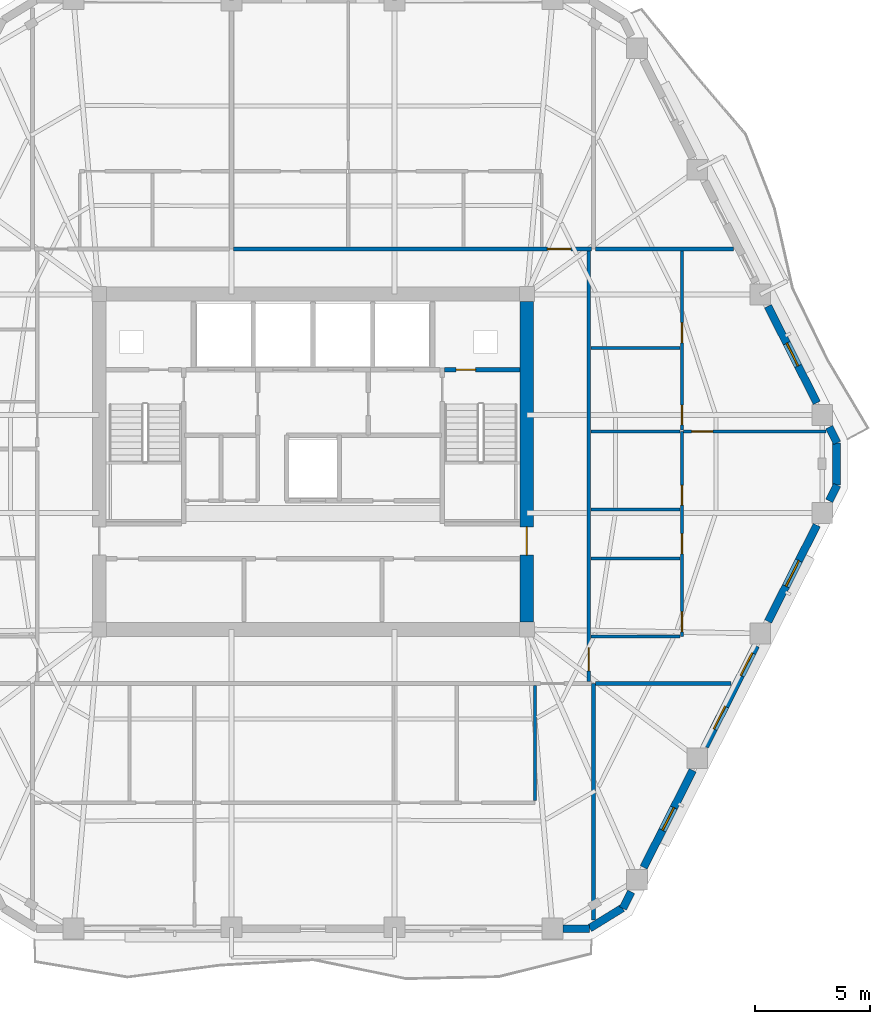
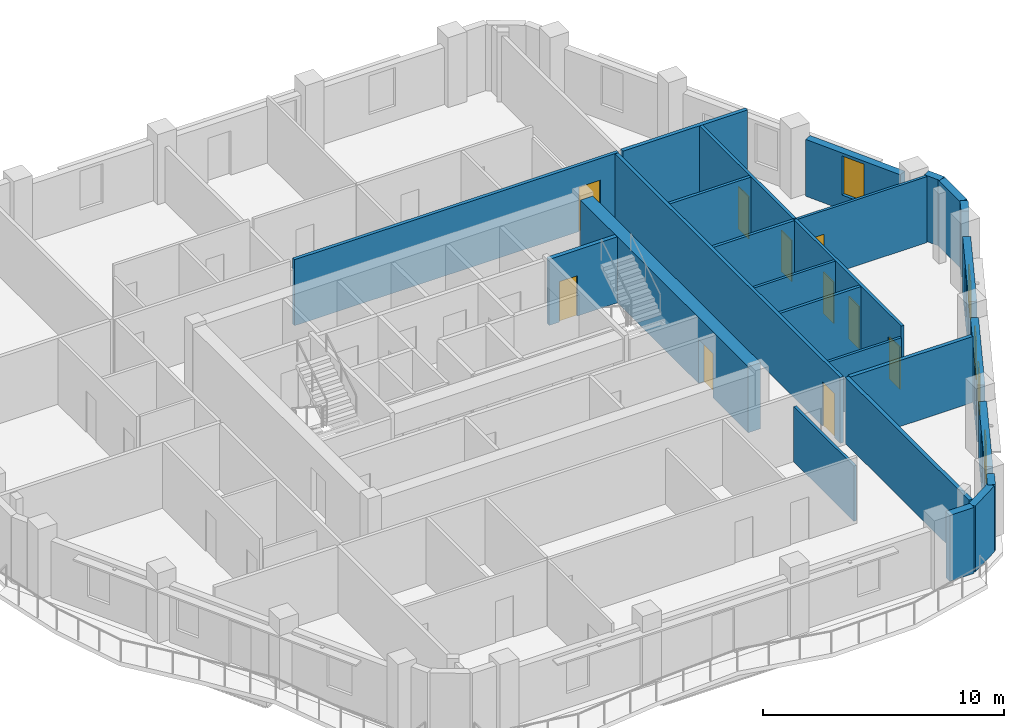
# One storey, part 6 of 11: 26 walls, 10 doors, 5 windows, 15 openings.
"""IFC4 building model written with IfcOpenShell, lengths in metres."""

from ifc_helpers import new_model, si_unit, direction, frame, frame_2d, origin, place, context, subcontext, project, spatial, rectangle, extrude, material, layer, layer_set, type_object, element, fill, save


model = new_model("IFC4")

# Units and contexts
model_context = context("Model", 3, precision=1e-05, world=origin(), true_north=direction((0.0, 1.0)))
body_context = subcontext(model_context, "Body", "Model", "MODEL_VIEW")
ifc_project = project(units=[si_unit("LENGTHUNIT", "METRE"), si_unit("AREAUNIT", "SQUARE_METRE"), si_unit("VOLUMEUNIT", "CUBIC_METRE"), si_unit("PLANEANGLEUNIT", "RADIAN"), si_unit("MASSUNIT", "GRAM", prefix="KILO")], contexts=[model_context])

# Site, building, storey
site_placement = place(None, origin())
site = spatial("IfcSite", under=ifc_project, at=site_placement, CompositionType="ELEMENT")
building_placement = place(site_placement, origin())
building = spatial("IfcBuilding", under=site, at=building_placement, Name="Cinnabar Lancet Tower", CompositionType="ELEMENT")
storey_placement = place(building_placement, frame((0.0, 0.0, 196.75)))
storey = spatial("IfcBuildingStorey", under=building, at=storey_placement, Name="L52", CompositionType="ELEMENT", Elevation=196.75)

# Wall, opening, door
ifc_material_1 = material(Name="Acoustic twin-stud gypsum partition", Category="gypsum")
ifc_layer_1 = layer(ifc_material_1, 0.159912109375)
ifc_layer_set_1 = layer_set([ifc_layer_1], Name="Acoustic twin-stud gypsum partition")
wall_type_1 = type_object("IfcWallType", Name="ARC-WL-CORR-160", PredefinedType="PARTITIONING", material=ifc_layer_set_1)
wall_1_placement = place(storey_placement, frame((28.951904296875, 35.14990234375, 0.0), z_axis=(0.0, 0.0, 1.0), x_axis=(1.0, 0.0, 0.0)))
wall_1 = element("IfcWall", 1, at=wall_1_placement, inside=storey, type_object=wall_type_1, Name="L52 Unit N02 Corridor Wall", PredefinedType="PARTITIONING", context=body_context, shape_type="SweptSolid", body=[
    extrude(rectangle(XDim=15.552978515625, YDim=0.159912109375, at=frame_2d((7.7763671875, 0.0))), origin(), (0.0, 0.0, 1.0), 3.35009765625),
])
opening_1_placement = place(wall_1_placement, frame((13.64794921875, 0.0, 0.0)))
opening_1 = element("IfcOpeningElement", 2, at=opening_1_placement, cuts=wall_1, Name="Opening UD-01", PredefinedType="OPENING", context=body_context, shape_type="SweptSolid", body=[
    extrude(rectangle(XDim=1.02001953125, YDim=2.25, at=frame_2d((0.510009765625, 1.125))), frame((0.0, 0.08984375, 0.0), z_axis=(0.0, -1.0, 0.0), x_axis=(1.0, 0.0, 0.0)), (0.0, 0.0, 1.0), 0.179931640625),
])
ifc_material_2 = material(Name="Solid timber fire-rated apartment entrance door", Category="wood")
door_type_1 = type_object("IfcDoorType", Name="ARC-DR-UNIT", OperationType="NOTDEFINED", PredefinedType="DOOR", material=ifc_material_2)
door_1_placement = place(opening_1_placement, origin())
door_1 = element("IfcDoor", 3, at=door_1_placement, inside=storey, type_object=door_type_1, Name="DR-L52-N02-ENT", OperationType="SINGLE_SWING_RIGHT", OverallHeight=2.25, OverallWidth=1.02001953125, PredefinedType="DOOR", context=body_context, shape_type="SweptSolid", body=[
    extrude(rectangle(XDim=1.02001953125, YDim=2.25, at=frame_2d((0.510009765625, 1.125))), frame((0.0, 0.02490234375, 0.0), z_axis=(0.0, -1.0, 0.0), x_axis=(1.0, 0.0, 0.0)), (0.0, 0.0, 1.0), 0.050048828125),
])
fill(opening_1, door_1)

wall_2_placement = place(storey_placement, frame((44.39990234375, 16.344970703125, 0.0), z_axis=(0.0, 0.0, 1.0), x_axis=(0.0, 1.0, 0.0)))
wall_2 = element("IfcWall", 4, at=wall_2_placement, inside=storey, type_object=wall_type_1, Name="UW-L52-E01-COR", PredefinedType="PARTITIONING", context=body_context, shape_type="SweptSolid", body=[
    extrude(rectangle(XDim=18.7099609375, YDim=0.159912109375, at=frame_2d((9.35498046875, 0.0))), origin(), (0.0, 0.0, 1.0), 3.35009765625),
])
opening_2_placement = place(wall_2_placement, frame((0.449951171875, 0.0, 0.0)))
opening_2 = element("IfcOpeningElement", 5, at=opening_2_placement, cuts=wall_2, Name="Opening UD-01", PredefinedType="OPENING", context=body_context, shape_type="SweptSolid", body=[
    extrude(rectangle(XDim=1.02001953125, YDim=2.25, at=frame_2d((0.510009765625, 1.125))), frame((0.0, 0.08984375, 0.0), z_axis=(0.0, -1.0, 0.0), x_axis=(1.0, 0.0, 0.0)), (0.0, 0.0, 1.0), 0.179931640625),
])
door_2_placement = place(opening_2_placement, origin())
door_2 = element("IfcDoor", 6, at=door_2_placement, inside=storey, type_object=door_type_1, Name="DR-L52-E01-ENT", OperationType="SINGLE_SWING_LEFT", OverallHeight=2.25, OverallWidth=1.02001953125, PredefinedType="DOOR", context=body_context, shape_type="SweptSolid", body=[
    extrude(rectangle(XDim=1.02001953125, YDim=2.25, at=frame_2d((0.510009765625, 1.125))), frame((0.0, 0.02490234375, 0.0), z_axis=(0.0, -1.0, 0.0), x_axis=(1.0, 0.0, 0.0)), (0.0, 0.0, 1.0), 0.050048828125),
])
fill(opening_2, door_2)

# Walls
ifc_material_3 = material(Name="Fire-rated twin-frame acoustic drywall", Category="gypsum")
ifc_layer_2 = layer(ifc_material_3, 0.179931640625)
ifc_layer_set_2 = layer_set([ifc_layer_2], Name="Fire-rated twin-frame acoustic drywall")
wall_type_2 = type_object("IfcWallType", Name="ARC-WL-PARTY-180", PredefinedType="PARTITIONING", material=ifc_layer_set_2)
wall_3_placement = place(storey_placement, frame((44.60009765625, 5.968017578125, 0.0), z_axis=(0.0, 0.0, 1.0), x_axis=(0.0, 1.0, 0.0)))
element("IfcWall", 7, at=wall_3_placement, inside=storey, type_object=wall_type_2, Name="PW-L52-SPTY-446", PredefinedType="PARTITIONING", context=body_context, shape_type="SweptSolid", body=[
    extrude(rectangle(XDim=10.281982421875, YDim=0.179931640625, at=frame_2d((5.14111328125, 0.0))), origin(), (0.0, 0.0, 1.0), 3.35009765625),
])
wall_4_placement = place(storey_placement, frame((44.695068359375, 16.25, 0.0), z_axis=(0.0, 0.0, 1.0), x_axis=(1.0, 0.0, 0.0)))
element("IfcWall", 8, at=wall_4_placement, inside=storey, type_object=wall_type_2, Name="PW-L52-ESB", PredefinedType="PARTITIONING", context=body_context, shape_type="SweptSolid", body=[
    extrude(rectangle(XDim=5.89404296875, YDim=0.179931640625, at=frame_2d((2.947021484375, 0.0))), origin(), (0.0, 0.0, 1.0), 3.35009765625),
])
wall_5_placement = place(storey_placement, frame((44.695068359375, 35.14990234375, 0.0), z_axis=(0.0, 0.0, 1.0), x_axis=(1.0, 0.0, 0.0)))
element("IfcWall", 9, at=wall_5_placement, inside=storey, type_object=wall_type_2, Name="PW-L52-ENB", PredefinedType="PARTITIONING", context=body_context, shape_type="SweptSolid", body=[
    extrude(rectangle(XDim=5.994873046875, YDim=0.179931640625, at=frame_2d((2.99755859375, 0.0))), origin(), (0.0, 0.0, 1.0), 3.35009765625),
])

# Wall, opening, door
ifc_material_4 = material(Name="Autoclaved aerated concrete blockwork", Category="masonry")
ifc_layer_3 = layer(ifc_material_4, 0.199951171875)
ifc_layer_set_3 = layer_set([ifc_layer_3], Name="Autoclaved aerated concrete blockwork")
wall_type_3 = type_object("IfcWallType", Name="ARC-WL-SHAFT-200", PredefinedType="PLUMBINGWALL", material=ifc_layer_set_3)
wall_6_placement = place(storey_placement, frame((38.125, 29.89990234375, 0.0), z_axis=(0.0, 0.0, 1.0), x_axis=(1.0, 0.0, 0.0)))
wall_6 = element("IfcWall", 10, at=wall_6_placement, inside=storey, type_object=wall_type_3, Name="CW-NSH-E-L52", PredefinedType="PLUMBINGWALL", context=body_context, shape_type="SweptSolid", body=[
    extrude(rectangle(XDim=3.27001953125, YDim=0.199951171875, at=frame_2d((1.635009765625, 0.0))), origin(), (0.0, 0.0, 1.0), 3.35009765625),
])
opening_3_placement = place(wall_6_placement, frame((0.5, 0.0, 0.0)))
opening_3 = element("IfcOpeningElement", 11, at=opening_3_placement, cuts=wall_6, Name="Opening PD-02", PredefinedType="OPENING", context=body_context, shape_type="SweptSolid", body=[
    extrude(rectangle(XDim=0.85009765625, YDim=2.050048828125, at=frame_2d((0.425048828125, 1.02490234375))), frame((0.0, 0.10986328125, 0.0), z_axis=(0.0, -1.0, 0.0), x_axis=(1.0, 0.0, 0.0)), (0.0, 0.0, 1.0), 0.219970703125),
])
ifc_material_5 = material(Name="Fire-rated steel riser access door", Category="steel")
door_type_2 = type_object("IfcDoorType", Name="ARC-DR-RISER", OperationType="NOTDEFINED", PredefinedType="DOOR", material=ifc_material_5)
door_3_placement = place(opening_3_placement, origin())
door_3 = element("IfcDoor", 12, at=door_3_placement, inside=storey, type_object=door_type_2, Name="L52 East Riser Access Door", OperationType="SINGLE_SWING_RIGHT", OverallHeight=2.050048828125, OverallWidth=0.85009765625, PredefinedType="DOOR", context=body_context, shape_type="SweptSolid", body=[
    extrude(rectangle(XDim=0.85009765625, YDim=2.050048828125, at=frame_2d((0.425048828125, 1.02490234375))), frame((0.0, 0.02490234375, 0.0), z_axis=(0.0, -1.0, 0.0), x_axis=(1.0, 0.0, 0.0)), (0.0, 0.0, 1.0), 0.050048828125),
])
fill(opening_3, door_3)

# Walls
ifc_material_6 = material(Name="Gypsum plasterboard stud partition", Category="gypsum")
ifc_layer_4 = layer(ifc_material_6, 0.125)
ifc_layer_set_4 = layer_set([ifc_layer_4], Name="Gypsum plasterboard stud partition")
wall_type_4 = type_object("IfcWallType", Name="ARC-WL-UNIT-125", PredefinedType="PARTITIONING", material=ifc_layer_set_4)
wall_7_placement = place(storey_placement, frame((42.050048828125, 11.16796875, 0.0), z_axis=(0.0, 0.0, 1.0), x_axis=(0.0, 1.0, 0.0)))
element("IfcWall", 13, at=wall_7_placement, inside=storey, type_object=wall_type_4, Name="UW-L52-S01-FOYW", PredefinedType="PARTITIONING", context=body_context, shape_type="SweptSolid", body=[
    extrude(rectangle(XDim=4.9970703125, YDim=0.125, at=frame_2d((2.49853515625, 0.0))), origin(), (0.0, 0.0, 1.0), 2.806884765625),
])
wall_8_placement = place(storey_placement, frame((44.485107421875, 18.300048828125, 0.0), z_axis=(0.0, 0.0, 1.0), x_axis=(1.0, 0.0, 0.0)))
element("IfcWall", 14, at=wall_8_placement, inside=storey, type_object=wall_type_4, Name="UW-L52-E01-FOYN", PredefinedType="PARTITIONING", context=body_context, shape_type="SweptSolid", body=[
    extrude(rectangle(XDim=3.8798828125, YDim=0.125, at=frame_2d((1.93994140625, 0.0))), origin(), (0.0, 0.0, 1.0), 2.806884765625),
])

# Wall, opening, door
wall_9_placement = place(storey_placement, frame((48.52490234375, 27.2119140625, 0.0), z_axis=(0.0, 0.0, 1.0), x_axis=(1.0, 0.0, 0.0)))
wall_9 = element("IfcWall", 15, at=wall_9_placement, inside=storey, type_object=wall_type_4, Name="UW-L52-E01-MBN", PredefinedType="PARTITIONING", context=body_context, shape_type="SweptSolid", body=[
    extrude(rectangle(XDim=6.196044921875, YDim=0.125, at=frame_2d((3.09814453125, 0.0))), origin(), (0.0, 0.0, 1.0), 3.35009765625),
])
opening_4_placement = place(wall_9_placement, frame((0.35009765625, 0.0, 0.0)))
opening_4 = element("IfcOpeningElement", 16, at=opening_4_placement, cuts=wall_9, Name="Opening RD-01", PredefinedType="OPENING", context=body_context, shape_type="SweptSolid", body=[
    extrude(rectangle(XDim=0.919921875, YDim=2.14990234375, at=frame_2d((0.4599609375, 1.074951171875))), frame((0.0, 0.072509765625, 0.0), z_axis=(0.0, -1.0, 0.0), x_axis=(1.0, 0.0, 0.0)), (0.0, 0.0, 1.0), 0.14501953125),
])
ifc_material_7 = material(Name="Engineered timber bedroom door", Category="wood")
door_type_3 = type_object("IfcDoorType", Name="ARC-DR-ROOM", OperationType="NOTDEFINED", PredefinedType="DOOR", material=ifc_material_7)
door_4_placement = place(opening_4_placement, origin())
door_4 = element("IfcDoor", 17, at=door_4_placement, inside=storey, type_object=door_type_3, Name="DR-L52-E01-MBD", OperationType="SINGLE_SWING_LEFT", OverallHeight=2.14990234375, OverallWidth=0.919921875, PredefinedType="DOOR", context=body_context, shape_type="SweptSolid", body=[
    extrude(rectangle(XDim=0.919921875, YDim=2.14990234375, at=frame_2d((0.4599609375, 1.074951171875))), frame((0.0, 0.02490234375, 0.0), z_axis=(0.0, -1.0, 0.0), x_axis=(1.0, 0.0, 0.0)), (0.0, 0.0, 1.0), 0.050048828125),
])
fill(opening_4, door_4)

# Wall
wall_10_placement = place(storey_placement, frame((44.485107421875, 23.81201171875, 0.0), z_axis=(0.0, 0.0, 1.0), x_axis=(1.0, 0.0, 0.0)))
element("IfcWall", 18, at=wall_10_placement, inside=storey, type_object=wall_type_4, Name="UW-L52-E01-UDV", PredefinedType="PARTITIONING", context=body_context, shape_type="SweptSolid", body=[
    extrude(rectangle(XDim=3.8798828125, YDim=0.125, at=frame_2d((1.93994140625, 0.0))), origin(), (0.0, 0.0, 1.0), 3.35009765625),
])

# Wall, openings, doors
ifc_material_8 = material(Name="Moisture-resistant cement-board plumbing wall", Category="masonry")
ifc_layer_5 = layer(ifc_material_8, 0.139892578125)
ifc_layer_set_5 = layer_set([ifc_layer_5], Name="Moisture-resistant cement-board plumbing wall")
wall_type_5 = type_object("IfcWallType", Name="ARC-WL-WET-140", PredefinedType="PLUMBINGWALL", material=ifc_layer_set_5)
wall_11_placement = place(storey_placement, frame((48.449951171875, 18.300048828125, 0.0), z_axis=(0.0, 0.0, 1.0), x_axis=(0.0, 1.0, 0.0)))
wall_11 = element("IfcWall", 19, at=wall_11_placement, inside=storey, type_object=wall_type_5, Name="UW-L52-E01-SPL", PredefinedType="PLUMBINGWALL", context=body_context, shape_type="SweptSolid", body=[
    extrude(rectangle(XDim=8.911865234375, YDim=0.139892578125, at=frame_2d((4.4560546875, 0.0))), origin(), (0.0, 0.0, 1.0), 3.35009765625),
])
opening_5_placement = place(wall_11_placement, frame((0.199951171875, 0.0, 0.0)))
opening_5 = element("IfcOpeningElement", 20, at=opening_5_placement, cuts=wall_11, Name="Opening RD-02", PredefinedType="OPENING", context=body_context, shape_type="SweptSolid", body=[
    extrude(rectangle(XDim=0.8798828125, YDim=2.14990234375, at=frame_2d((0.43994140625, 1.074951171875))), frame((0.0, 0.079833984375, 0.0), z_axis=(0.0, -1.0, 0.0), x_axis=(1.0, 0.0, 0.0)), (0.0, 0.0, 1.0), 0.159912109375),
])
opening_6_placement = place(wall_11_placement, frame((3.5869140625, 0.0, 0.0)))
opening_6 = element("IfcOpeningElement", 21, at=opening_6_placement, cuts=wall_11, Name="Opening RD-02", PredefinedType="OPENING", context=body_context, shape_type="SweptSolid", body=[
    extrude(rectangle(XDim=0.8798828125, YDim=2.14990234375, at=frame_2d((0.43994140625, 1.074951171875))), frame((0.0, 0.079833984375, 0.0), z_axis=(0.0, -1.0, 0.0), x_axis=(1.0, 0.0, 0.0)), (0.0, 0.0, 1.0), 0.159912109375),
])
opening_7_placement = place(wall_11_placement, frame((5.7119140625, 0.0, 0.0)))
opening_7 = element("IfcOpeningElement", 22, at=opening_7_placement, cuts=wall_11, Name="Opening BD-01", PredefinedType="OPENING", context=body_context, shape_type="SweptSolid", body=[
    extrude(rectangle(XDim=0.860107421875, YDim=2.10009765625, at=frame_2d((0.43017578125, 1.050048828125))), frame((0.0, 0.079833984375, 0.0), z_axis=(0.0, -1.0, 0.0), x_axis=(1.0, 0.0, 0.0)), (0.0, 0.0, 1.0), 0.159912109375),
])
ifc_material_9 = material(Name="Moisture-resistant timber bathroom door", Category="wood")
door_type_4 = type_object("IfcDoorType", Name="ARC-DR-BATH", OperationType="NOTDEFINED", PredefinedType="DOOR", material=ifc_material_9)
door_5_placement = place(opening_7_placement, origin())
door_5 = element("IfcDoor", 23, at=door_5_placement, inside=storey, type_object=door_type_4, Name="DR-L52-E01-BTH", OperationType="SINGLE_SWING_RIGHT", OverallHeight=2.10009765625, OverallWidth=0.860107421875, PredefinedType="DOOR", context=body_context, shape_type="SweptSolid", body=[
    extrude(rectangle(XDim=0.860107421875, YDim=2.10009765625, at=frame_2d((0.43017578125, 1.050048828125))), frame((0.0, 0.02490234375, 0.0), z_axis=(0.0, -1.0, 0.0), x_axis=(1.0, 0.0, 0.0)), (0.0, 0.0, 1.0), 0.050048828125),
])
fill(opening_7, door_5)
ifc_material_10 = material(Name="Engineered timber study door", Category="wood")
door_type_5 = type_object("IfcDoorType", Name="ARC-DR-STUDY", OperationType="NOTDEFINED", PredefinedType="DOOR", material=ifc_material_10)
door_6_placement = place(opening_5_placement, origin())
door_6 = element("IfcDoor", 24, at=door_6_placement, inside=storey, type_object=door_type_5, Name="DR-L52-E01-KIT", OperationType="SINGLE_SWING_RIGHT", OverallHeight=2.14990234375, OverallWidth=0.8798828125, PredefinedType="DOOR", context=body_context, shape_type="SweptSolid", body=[
    extrude(rectangle(XDim=0.8798828125, YDim=2.14990234375, at=frame_2d((0.43994140625, 1.074951171875))), frame((0.0, 0.02490234375, 0.0), z_axis=(0.0, -1.0, 0.0), x_axis=(1.0, 0.0, 0.0)), (0.0, 0.0, 1.0), 0.050048828125),
])
fill(opening_5, door_6)
door_7_placement = place(opening_6_placement, origin())
door_7 = element("IfcDoor", 25, at=door_7_placement, inside=storey, type_object=door_type_5, Name="DR-L52-E01-UTL", OperationType="SINGLE_SWING_LEFT", OverallHeight=2.14990234375, OverallWidth=0.8798828125, PredefinedType="DOOR", context=body_context, shape_type="SweptSolid", body=[
    extrude(rectangle(XDim=0.8798828125, YDim=2.14990234375, at=frame_2d((0.43994140625, 1.074951171875))), frame((0.0, 0.02490234375, 0.0), z_axis=(0.0, -1.0, 0.0), x_axis=(1.0, 0.0, 0.0)), (0.0, 0.0, 1.0), 0.050048828125),
])
fill(opening_6, door_7)

wall_12_placement = place(storey_placement, frame((48.449951171875, 27.281982421875, 0.0), z_axis=(0.0, 0.0, 1.0), x_axis=(0.0, 1.0, 0.0)))
wall_12 = element("IfcWall", 26, at=wall_12_placement, inside=storey, type_object=wall_type_5, Name="UW-L52-E01-SPM", PredefinedType="PLUMBINGWALL", context=body_context, shape_type="SweptSolid", body=[
    extrude(rectangle(XDim=7.77294921875, YDim=0.139892578125, at=frame_2d((3.886474609375, 0.0))), origin(), (0.0, 0.0, 1.0), 3.35009765625),
])
opening_8_placement = place(wall_12_placement, frame((0.219970703125, 0.0, 0.0)))
opening_8 = element("IfcOpeningElement", 27, at=opening_8_placement, cuts=wall_12, Name="Opening BD-01", PredefinedType="OPENING", context=body_context, shape_type="SweptSolid", body=[
    extrude(rectangle(XDim=0.860107421875, YDim=2.10009765625, at=frame_2d((0.43017578125, 1.050048828125))), frame((0.0, 0.079833984375, 0.0), z_axis=(0.0, -1.0, 0.0), x_axis=(1.0, 0.0, 0.0)), (0.0, 0.0, 1.0), 0.159912109375),
])
opening_9_placement = place(wall_12_placement, frame((3.785888671875, 0.0, 0.0)))
opening_9 = element("IfcOpeningElement", 28, at=opening_9_placement, cuts=wall_12, Name="Opening RD-02", PredefinedType="OPENING", context=body_context, shape_type="SweptSolid", body=[
    extrude(rectangle(XDim=0.8798828125, YDim=2.14990234375, at=frame_2d((0.43994140625, 1.074951171875))), frame((0.0, 0.079833984375, 0.0), z_axis=(0.0, -1.0, 0.0), x_axis=(1.0, 0.0, 0.0)), (0.0, 0.0, 1.0), 0.159912109375),
])
door_8_placement = place(opening_8_placement, origin())
door_8 = element("IfcDoor", 29, at=door_8_placement, inside=storey, type_object=door_type_4, Name="DR-L52-E01-ENS", OperationType="SINGLE_SWING_LEFT", OverallHeight=2.10009765625, OverallWidth=0.860107421875, PredefinedType="DOOR", context=body_context, shape_type="SweptSolid", body=[
    extrude(rectangle(XDim=0.860107421875, YDim=2.10009765625, at=frame_2d((0.43017578125, 1.050048828125))), frame((0.0, 0.02490234375, 0.0), z_axis=(0.0, -1.0, 0.0), x_axis=(1.0, 0.0, 0.0)), (0.0, 0.0, 1.0), 0.050048828125),
])
fill(opening_8, door_8)
door_9_placement = place(opening_9_placement, origin())
door_9 = element("IfcDoor", 30, at=door_9_placement, inside=storey, type_object=door_type_5, Name="DR-L52-E01-EWDR", OperationType="SINGLE_SWING_RIGHT", OverallHeight=2.14990234375, OverallWidth=0.8798828125, PredefinedType="DOOR", context=body_context, shape_type="SweptSolid", body=[
    extrude(rectangle(XDim=0.8798828125, YDim=2.14990234375, at=frame_2d((0.43994140625, 1.074951171875))), frame((0.0, 0.02490234375, 0.0), z_axis=(0.0, -1.0, 0.0), x_axis=(1.0, 0.0, 0.0)), (0.0, 0.0, 1.0), 0.050048828125),
])
fill(opening_9, door_9)

# Walls
for number, where, z_axis, x_axis, name in (
    (31, (44.485107421875, 27.2119140625, 0.0), (0.0, 0.0, 1.0), (1.0, 0.0, 0.0), "UW-L52-E01-ENSN"),
    (32, (44.485107421875, 21.68701171875, 0.0), (0.0, 0.0, 1.0), (1.0, 0.0, 0.0), "UW-L52-E01-KDV"),
    (33, (44.485107421875, 30.847900390625, 0.0), (0.0, 0.0, 1.0), (1.0, 0.0, 0.0), "UW-L52-E01-EWDV"),
):
    element("IfcWall", number, at=place(storey_placement, frame(where, z_axis=z_axis, x_axis=x_axis)), inside=storey, type_object=wall_type_5, Name=name, PredefinedType="PLUMBINGWALL", context=body_context, shape_type="SweptSolid", body=[
        extrude(rectangle(XDim=3.8798828125, YDim=0.139892578125, at=frame_2d((1.93994140625, 0.0))), origin(), (0.0, 0.0, 1.0), 3.35009765625),
    ])
ifc_material_11 = material(Name="Cinnabar red clay brick", Category="masonry")
ifc_layer_6 = layer(ifc_material_11, 0.340087890625)
ifc_layer_set_6 = layer_set([ifc_layer_6], Name="Cinnabar red clay brick")
wall_type_6 = type_object("IfcWallType", Name="ENV-WL-BRK-RED-340", PredefinedType="STANDARD", material=ifc_layer_set_6)
wall_13_placement = place(storey_placement, frame((44.43310546875, 5.60498046875, 0.0), z_axis=(0.0, 0.0, 1.0), x_axis=(0.851778214877, 0.523902541185, 0.0)))
element("IfcWall", 34, at=wall_13_placement, inside=storey, type_object=wall_type_6, Name="L52 Chamfered Corner Brick Pier 2.1", PredefinedType="STANDARD", context=body_context, shape_type="SweptSolid", body=[
    extrude(rectangle(XDim=1.677734375, YDim=0.340087890625, at=frame_2d((0.8388671875, 0.0))), origin(), (0.0, 0.0, 1.0), 3.35009765625),
])
wall_14_placement = place(storey_placement, frame((55.177978515625, 24.89208984375, 0.0), z_axis=(0.0, 0.0, 1.0), x_axis=(0.0, 1.0, 0.0)))
element("IfcWall", 35, at=wall_14_placement, inside=storey, type_object=wall_type_6, Name="L52 Chamfered Corner Brick Pier 3.1", PredefinedType="STANDARD", context=body_context, shape_type="SweptSolid", body=[
    extrude(rectangle(XDim=1.81591796875, YDim=0.340087890625, at=frame_2d((0.907958984375, 0.0))), origin(), (0.0, 0.0, 1.0), 3.35009765625),
])
wall_15_placement = place(storey_placement, frame((43.27490234375, 5.580078125, 0.0), z_axis=(0.0, 0.0, 1.0), x_axis=(1.0, 0.0, 0.0)))
element("IfcWall", 36, at=wall_15_placement, inside=storey, type_object=wall_type_6, Name="L52 Face 1 Masonry Bay Wall 5", PredefinedType="STANDARD", context=body_context, shape_type="SweptSolid", body=[
    extrude(rectangle(XDim=1.1630859375, YDim=0.340087890625, at=frame_2d((0.58154296875, 0.0))), origin(), (0.0, 0.0, 1.0), 3.35009765625),
])
wall_16_placement = place(storey_placement, frame((45.882080078125, 6.468017578125, 0.0), z_axis=(0.0, 0.0, 1.0), x_axis=(0.451691568309, 0.892174157392, 0.0)))
element("IfcWall", 37, at=wall_16_placement, inside=storey, type_object=wall_type_6, Name="L52 Face 2 Masonry Bay Wall 1", PredefinedType="STANDARD", context=body_context, shape_type="SweptSolid", body=[
    extrude(rectangle(XDim=0.805908203125, YDim=0.340087890625, at=frame_2d((0.40283203125, 0.0))), origin(), (0.0, 0.0, 1.0), 3.35009765625),
])

# Wall, opening, window
wall_17_placement = place(storey_placement, frame((46.782958984375, 8.2490234375, 0.0), z_axis=(0.0, 0.0, 1.0), x_axis=(0.451522864045, 0.892259549259, 0.0)))
wall_17 = element("IfcWall", 38, at=wall_17_placement, inside=storey, type_object=wall_type_6, Name="L52 Face 2 Masonry Bay Wall 2", PredefinedType="STANDARD", context=body_context, shape_type="SweptSolid", body=[
    extrude(rectangle(XDim=4.730712890625, YDim=0.340087890625, at=frame_2d((2.365234375, 0.0))), origin(), (0.0, 0.0, 1.0), 2.883056640625),
])
opening_10_placement = place(wall_17_placement, frame((1.81494140625, 0.0, 0.75)))
opening_10 = element("IfcOpeningElement", 39, at=opening_10_placement, cuts=wall_17, Name="Opening WN-04", PredefinedType="OPENING", context=body_context, shape_type="SweptSolid", body=[
    extrude(rectangle(XDim=1.10009765625, YDim=1.98291015625, at=frame_2d((0.550048828125, 0.991455078125))), frame((0.0, 0.179931640625, 0.0), z_axis=(0.0, -1.0, 0.0), x_axis=(1.0, 0.0, 0.0)), (0.0, 0.0, 1.0), 0.360107421875),
])
ifc_material_12 = material(Name="Thermally broken bronze-anodized aluminium tall lancet window", Category="aluminium")
window_type_1 = type_object("IfcWindowType", Name="ENV-WN-LANCET-1100", PartitioningType="SINGLE_PANEL", PredefinedType="WINDOW", material=ifc_material_12)
window_1_placement = place(opening_10_placement, origin())
window_1 = element("IfcWindow", 40, at=window_1_placement, inside=storey, type_object=window_type_1, Name="L52 Face 2 Gothic Lancet Window 2", OverallHeight=1.98291015625, OverallWidth=1.10009765625, PartitioningType="SINGLE_PANEL", PredefinedType="WINDOW", context=body_context, shape_type="SweptSolid", body=[
    extrude(rectangle(XDim=1.10009765625, YDim=1.98291015625, at=frame_2d((0.550048828125, 0.991455078125))), frame((0.0, 0.030029296875, 0.0), z_axis=(0.0, -1.0, 0.0), x_axis=(1.0, 0.0, 0.0)), (0.0, 0.0, 1.0), 0.06005859375),
])
fill(opening_10, window_1)

# Wall, openings, windows
wall_18_placement = place(storey_placement, frame((49.447998046875, 13.51708984375, 0.0), z_axis=(0.0, 0.0, 1.0), x_axis=(0.451544279509, 0.892248711763, 0.0)))
wall_18 = element("IfcWall", 41, at=wall_18_placement, inside=storey, type_object=wall_type_6, Name="L52 Face 2 Masonry Bay Wall 3", PredefinedType="STANDARD", context=body_context, shape_type="SweptSolid", body=[
    extrude(rectangle(XDim=4.909912109375, YDim=0.340087890625, at=frame_2d((2.455078125, 0.0))), origin(), (0.0, 0.0, 1.0), 2.883056640625),
])
opening_11_placement = place(wall_18_placement, frame((0.85107421875, 0.0, 0.75)))
opening_11 = element("IfcOpeningElement", 42, at=opening_11_placement, cuts=wall_18, Name="Opening WN-04", PredefinedType="OPENING", context=body_context, shape_type="SweptSolid", body=[
    extrude(rectangle(XDim=1.10009765625, YDim=1.98291015625, at=frame_2d((0.550048828125, 0.991455078125))), frame((0.0, 0.179931640625, 0.0), z_axis=(0.0, -1.0, 0.0), x_axis=(1.0, 0.0, 0.0)), (0.0, 0.0, 1.0), 0.360107421875),
])
opening_12_placement = place(wall_18_placement, frame((3.45703125, 0.0, 0.75)))
opening_12 = element("IfcOpeningElement", 43, at=opening_12_placement, cuts=wall_18, Name="Opening WN-04", PredefinedType="OPENING", context=body_context, shape_type="SweptSolid", body=[
    extrude(rectangle(XDim=1.10009765625, YDim=1.98291015625, at=frame_2d((0.550048828125, 0.991455078125))), frame((0.0, 0.179931640625, 0.0), z_axis=(0.0, -1.0, 0.0), x_axis=(1.0, 0.0, 0.0)), (0.0, 0.0, 1.0), 0.360107421875),
])
window_2_placement = place(opening_11_placement, origin())
window_2 = element("IfcWindow", 44, at=window_2_placement, inside=storey, type_object=window_type_1, Name="L52 Face 2 Gothic Lancet Window 3", OverallHeight=1.98291015625, OverallWidth=1.10009765625, PartitioningType="SINGLE_PANEL", PredefinedType="WINDOW", context=body_context, shape_type="SweptSolid", body=[
    extrude(rectangle(XDim=1.10009765625, YDim=1.98291015625, at=frame_2d((0.550048828125, 0.991455078125))), frame((0.0, 0.030029296875, 0.0), z_axis=(0.0, -1.0, 0.0), x_axis=(1.0, 0.0, 0.0)), (0.0, 0.0, 1.0), 0.06005859375),
])
fill(opening_11, window_2)
window_3_placement = place(opening_12_placement, origin())
window_3 = element("IfcWindow", 45, at=window_3_placement, inside=storey, type_object=window_type_1, Name="L52 Split-Bay Gothic Lancet Window 172", OverallHeight=1.98291015625, OverallWidth=1.10009765625, PartitioningType="SINGLE_PANEL", PredefinedType="WINDOW", context=body_context, shape_type="SweptSolid", body=[
    extrude(rectangle(XDim=1.10009765625, YDim=1.98291015625, at=frame_2d((0.550048828125, 0.991455078125))), frame((0.0, 0.030029296875, 0.0), z_axis=(0.0, -1.0, 0.0), x_axis=(1.0, 0.0, 0.0)), (0.0, 0.0, 1.0), 0.06005859375),
])
fill(opening_12, window_3)

# Wall, opening, window
wall_19_placement = place(storey_placement, frame((52.193115234375, 18.943115234375, 0.0), z_axis=(0.0, 0.0, 1.0), x_axis=(0.451447222193, 0.892297823361, 0.0)))
wall_19 = element("IfcWall", 46, at=wall_19_placement, inside=storey, type_object=wall_type_6, Name="L52 Face 2 Masonry Bay Wall 4", PredefinedType="STANDARD", context=body_context, shape_type="SweptSolid", body=[
    extrude(rectangle(XDim=4.699951171875, YDim=0.340087890625, at=frame_2d((2.35009765625, 0.0))), origin(), (0.0, 0.0, 1.0), 2.883056640625),
])
opening_13_placement = place(wall_19_placement, frame((1.72509765625, 0.0, 0.75)))
opening_13 = element("IfcOpeningElement", 47, at=opening_13_placement, cuts=wall_19, Name="Opening WN-03", PredefinedType="OPENING", context=body_context, shape_type="SweptSolid", body=[
    extrude(rectangle(XDim=1.25, YDim=1.949951171875, at=frame_2d((0.625, 0.97509765625))), frame((0.0, 0.179931640625, 0.0), z_axis=(0.0, -1.0, 0.0), x_axis=(1.0, 0.0, 0.0)), (0.0, 0.0, 1.0), 0.360107421875),
])
ifc_material_13 = material(Name="Thermally broken bronze-anodized aluminium low-E double glazing", Category="aluminium")
window_type_2 = type_object("IfcWindowType", Name="ENV-WN-LANCET-1250", PartitioningType="SINGLE_PANEL", PredefinedType="WINDOW", material=ifc_material_13)
window_4_placement = place(opening_13_placement, origin())
window_4 = element("IfcWindow", 48, at=window_4_placement, inside=storey, type_object=window_type_2, Name="L52 Face 2 Gothic Lancet Window 4", OverallHeight=1.949951171875, OverallWidth=1.25, PartitioningType="SINGLE_PANEL", PredefinedType="WINDOW", context=body_context, shape_type="SweptSolid", body=[
    extrude(rectangle(XDim=1.25, YDim=1.949951171875, at=frame_2d((0.625, 0.97509765625))), frame((0.0, 0.030029296875, 0.0), z_axis=(0.0, -1.0, 0.0), x_axis=(1.0, 0.0, 0.0)), (0.0, 0.0, 1.0), 0.06005859375),
])
fill(opening_13, window_4)

# Walls
for number, where, z_axis, x_axis, name in (
    (49, (54.85107421875, 24.197021484375, 0.0), (0.0, 0.0, 1.0), (0.451262448184, 0.892391283496, 0.0), "L52 Face 2 Masonry Bay Wall 5"),
    (50, (55.198974609375, 26.715087890625, 0.0), (0.0, 0.0, 1.0), (-0.451262448184, 0.892391283496, 0.0), "L52 Face 3 Masonry Bay Wall 1"),
):
    element("IfcWall", number, at=place(storey_placement, frame(where, z_axis=z_axis, x_axis=x_axis)), inside=storey, type_object=wall_type_6, Name=name, PredefinedType="STANDARD", context=body_context, shape_type="SweptSolid", body=[
        extrude(rectangle(XDim=0.77099609375, YDim=0.340087890625, at=frame_2d((0.385498046875, 0.0))), origin(), (0.0, 0.0, 1.0), 3.35009765625),
    ])

# Wall, opening, window
wall_20_placement = place(storey_placement, frame((54.31494140625, 28.462890625, 0.0), z_axis=(0.0, 0.0, 1.0), x_axis=(-0.451426298588, 0.892308409096, 0.0)))
wall_20 = element("IfcWall", 51, at=wall_20_placement, inside=storey, type_object=wall_type_6, Name="L52 Face 3 Masonry Bay Wall 2", PredefinedType="STANDARD", context=body_context, shape_type="SweptSolid", body=[
    extrude(rectangle(XDim=4.7001953125, YDim=0.340087890625, at=frame_2d((2.35009765625, 0.0))), origin(), (0.0, 0.0, 1.0), 2.883056640625),
])
opening_14_placement = place(wall_20_placement, frame((1.800048828125, 0.0, 0.75)))
opening_14 = element("IfcOpeningElement", 52, at=opening_14_placement, cuts=wall_20, Name="Opening WN-04", PredefinedType="OPENING", context=body_context, shape_type="SweptSolid", body=[
    extrude(rectangle(XDim=1.10009765625, YDim=1.98291015625, at=frame_2d((0.550048828125, 0.991455078125))), frame((0.0, 0.179931640625, 0.0), z_axis=(0.0, -1.0, 0.0), x_axis=(1.0, 0.0, 0.0)), (0.0, 0.0, 1.0), 0.360107421875),
])
window_5_placement = place(opening_14_placement, origin())
window_5 = element("IfcWindow", 53, at=window_5_placement, inside=storey, type_object=window_type_1, Name="L52 Face 3 Gothic Lancet Window 2", OverallHeight=1.98291015625, OverallWidth=1.10009765625, PartitioningType="SINGLE_PANEL", PredefinedType="WINDOW", context=body_context, shape_type="SweptSolid", body=[
    extrude(rectangle(XDim=1.10009765625, YDim=1.98291015625, at=frame_2d((0.550048828125, 0.991455078125))), frame((0.0, 0.030029296875, 0.0), z_axis=(0.0, -1.0, 0.0), x_axis=(1.0, 0.0, 0.0)), (0.0, 0.0, 1.0), 0.06005859375),
])
fill(opening_14, window_5)

# Wall, opening, door
ifc_material_14 = material(Name="Concrete C60/75", Category="concrete")
ifc_layer_7 = layer(ifc_material_14, 0.60009765625)
ifc_layer_set_7 = layer_set([ifc_layer_7], Name="Concrete C60/75")
wall_type_7 = type_object("IfcWallType", Name="STR-WL-CORE-600", PredefinedType="SHEAR", material=ifc_layer_set_7)
wall_21_placement = place(storey_placement, frame((41.699951171875, 18.925048828125, 0.0), z_axis=(0.0, 0.0, 1.0), x_axis=(0.0, 1.0, 0.0)))
wall_21 = element("IfcWall", 54, at=wall_21_placement, inside=storey, type_object=wall_type_7, Name="L52 Core Shear Wall E", PredefinedType="SHEAR", context=body_context, shape_type="SweptSolid", body=[
    extrude(rectangle(XDim=13.949951171875, YDim=0.60009765625, at=frame_2d((6.97509765625, 0.0))), origin(), (0.0, 0.0, 1.0), 3.35009765625),
])
opening_15_placement = place(wall_21_placement, frame((2.9150390625, 0.0, 0.0)))
opening_15 = element("IfcOpeningElement", 55, at=opening_15_placement, cuts=wall_21, Name="Opening FD-02", PredefinedType="OPENING", context=body_context, shape_type="SweptSolid", body=[
    extrude(rectangle(XDim=1.219970703125, YDim=2.25, at=frame_2d((0.60986328125, 1.125))), frame((0.0, 0.31005859375, 0.0), z_axis=(0.0, -1.0, 0.0), x_axis=(1.0, 0.0, 0.0)), (0.0, 0.0, 1.0), 0.6201171875),
])
ifc_material_15 = material(Name="Fire-rated double-vision core portal door", Category="wood")
door_type_6 = type_object("IfcDoorType", Name="ARC-DR-CPORT", OperationType="NOTDEFINED", PredefinedType="DOOR", material=ifc_material_15)
door_10_placement = place(opening_15_placement, origin())
door_10 = element("IfcDoor", 56, at=door_10_placement, inside=storey, type_object=door_type_6, Name="L52 East Core Lobby Fire Door", OperationType="SINGLE_SWING_LEFT", OverallHeight=2.25, OverallWidth=1.219970703125, PredefinedType="DOOR", context=body_context, shape_type="SweptSolid", body=[
    extrude(rectangle(XDim=1.219970703125, YDim=2.25, at=frame_2d((0.60986328125, 1.125))), frame((0.0, 0.02490234375, 0.0), z_axis=(0.0, -1.0, 0.0), x_axis=(1.0, 0.0, 0.0)), (0.0, 0.0, 1.0), 0.050048828125),
])
fill(opening_15, door_10)

save(model, "model.ifc")
